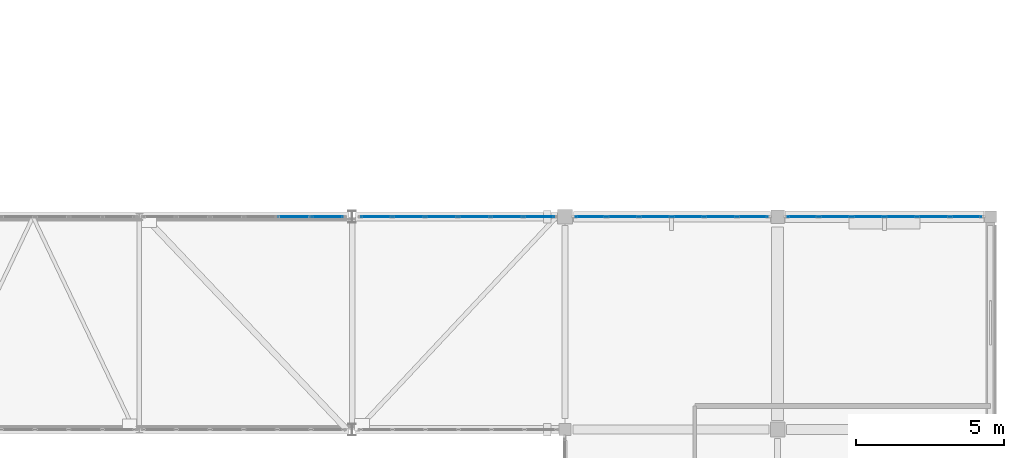
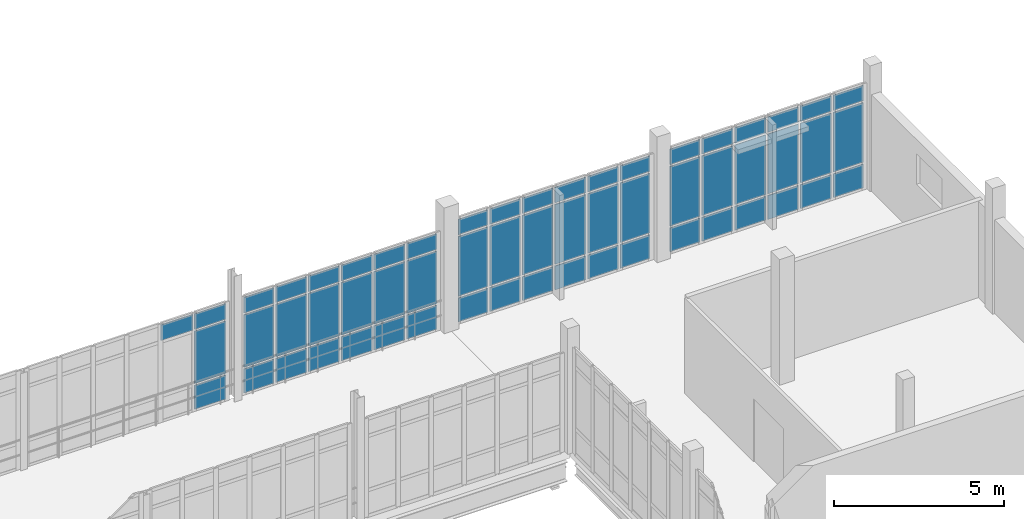
# One storey, part 92 of 116: 58 plates, 4 elements without a shape of their own.
"""IFC4 building model written with IfcOpenShell, lengths in metres."""

from ifc_helpers import new_model, si_unit, direction, frame, origin, origin_2d, place, context, subcontext, project, spatial, rectangle, extrude, material, layer, layer_set, type_object, element, aggregate, save


model = new_model("IFC4")

# Units and contexts
model_context = context("Model", 3, precision=1e-05, world=origin(), true_north=direction((0.0, 1.0)))
body_context = subcontext(model_context, "Body", "Model", "MODEL_VIEW")
ifc_project = project(units=[si_unit("LENGTHUNIT", "METRE"), si_unit("AREAUNIT", "SQUARE_METRE"), si_unit("VOLUMEUNIT", "CUBIC_METRE"), si_unit("PLANEANGLEUNIT", "RADIAN"), si_unit("MASSUNIT", "GRAM", prefix="KILO")], contexts=[model_context])

# Site, building, storey
site_placement = place(None, origin())
site = spatial("IfcSite", under=ifc_project, at=site_placement, CompositionType="ELEMENT")
building_placement = place(site_placement, origin())
building = spatial("IfcBuilding", under=site, at=building_placement, Name="Kalluvel Institute of Natural Sciences", CompositionType="ELEMENT")
storey_placement = place(building_placement, frame((0.0, 0.0, 14.39990234375)))
storey = spatial("IfcBuildingStorey", under=building, at=storey_placement, Name="L03", CompositionType="ELEMENT", Elevation=14.39990234375)

# Curtain wall, plates
ifc_material_1 = material(Name="Aluminium AW-6063 T6", Category="aluminium")
curtain_wall_type_1 = type_object("IfcCurtainWallType", Name="CW-SPAV-45", PredefinedType="USERDEFINED", material=ifc_material_1)
curtain_wall_1_placement = place(storey_placement, origin())
curtain_wall_1 = element("IfcCurtainWall", 1, at=curtain_wall_1_placement, inside=storey, type_object=curtain_wall_type_1, Name="L03 Gothic lancet curtain wall CWA-L03-X1007-Y356", ObjectType="UNITISED LANCET FACADE", PredefinedType="USERDEFINED")
ifc_material_2 = material(Name="Solar-Control Low-E Laminated Glass", Category="glass")
ifc_layer_1 = layer(ifc_material_2, 0.028076171875)
ifc_layer_set_1 = layer_set([ifc_layer_1], Name="Solar-Control Low-E Laminated Glass")
plate_type_1 = type_object("IfcPlateType", Name="CWP-DGU-28", PredefinedType="CURTAIN_PANEL", material=ifc_layer_set_1)
plate_1_placement = place(storey_placement, frame((101.268310546875, 35.60009765625, 0.065185546875), z_axis=(0.0, 0.0, 1.0), x_axis=(1.0, 0.0, 0.0)))
plate_1 = element("IfcPlate", 2, at=plate_1_placement, type_object=plate_type_1, Name="CW-10 panel 1.1", PredefinedType="CURTAIN_PANEL", context=body_context, shape_type="SweptSolid", body=[
    extrude(rectangle(XDim=1.006591796875, YDim=0.028076171875, at=origin_2d()), origin(), (0.0, 0.0, 1.0), 0.8525390625),
])
plate_2_placement = place(storey_placement, frame((101.268310546875, 35.60009765625, 0.982421875), z_axis=(0.0, 0.0, 1.0), x_axis=(1.0, 0.0, 0.0)))
plate_2 = element("IfcPlate", 3, at=plate_2_placement, type_object=plate_type_1, Name="CW-10 panel 1.2", PredefinedType="CURTAIN_PANEL", context=body_context, shape_type="SweptSolid", body=[
    extrude(rectangle(XDim=1.006591796875, YDim=0.028076171875, at=origin_2d()), origin(), (0.0, 0.0, 1.0), 2.135009765625),
])
plate_3_placement = place(storey_placement, frame((101.268310546875, 35.60009765625, 3.1826171875), z_axis=(0.0, 0.0, 1.0), x_axis=(1.0, 0.0, 0.0)))
plate_3 = element("IfcPlate", 4, at=plate_3_placement, type_object=plate_type_1, Name="CW-10 panel 1.3", PredefinedType="CURTAIN_PANEL", context=body_context, shape_type="SweptSolid", body=[
    extrude(rectangle(XDim=1.006591796875, YDim=0.028076171875, at=origin_2d()), origin(), (0.0, 0.0, 1.0), 0.552490234375),
])
plate_4_placement = place(storey_placement, frame((102.356201171875, 35.60009765625, 0.065185546875), z_axis=(0.0, 0.0, 1.0), x_axis=(1.0, 0.0, 0.0)))
plate_4 = element("IfcPlate", 5, at=plate_4_placement, type_object=plate_type_1, Name="CW-10 panel 2.1", PredefinedType="CURTAIN_PANEL", context=body_context, shape_type="SweptSolid", body=[
    extrude(rectangle(XDim=1.0390625, YDim=0.028076171875, at=origin_2d()), origin(), (0.0, 0.0, 1.0), 0.8525390625),
])
plate_5_placement = place(storey_placement, frame((102.356201171875, 35.60009765625, 0.982421875), z_axis=(0.0, 0.0, 1.0), x_axis=(1.0, 0.0, 0.0)))
plate_5 = element("IfcPlate", 6, at=plate_5_placement, type_object=plate_type_1, Name="CW-10 panel 2.2", PredefinedType="CURTAIN_PANEL", context=body_context, shape_type="SweptSolid", body=[
    extrude(rectangle(XDim=1.0390625, YDim=0.028076171875, at=origin_2d()), origin(), (0.0, 0.0, 1.0), 2.135009765625),
])
plate_6_placement = place(storey_placement, frame((102.356201171875, 35.60009765625, 3.1826171875), z_axis=(0.0, 0.0, 1.0), x_axis=(1.0, 0.0, 0.0)))
plate_6 = element("IfcPlate", 7, at=plate_6_placement, type_object=plate_type_1, Name="CW-10 panel 2.3", PredefinedType="CURTAIN_PANEL", context=body_context, shape_type="SweptSolid", body=[
    extrude(rectangle(XDim=1.0390625, YDim=0.028076171875, at=origin_2d()), origin(), (0.0, 0.0, 1.0), 0.552490234375),
])
plate_7_placement = place(storey_placement, frame((103.46044921875, 35.60009765625, 0.065185546875), z_axis=(0.0, 0.0, 1.0), x_axis=(1.0, 0.0, 0.0)))
plate_7 = element("IfcPlate", 8, at=plate_7_placement, type_object=plate_type_1, Name="CW-10 panel 3.1", PredefinedType="CURTAIN_PANEL", context=body_context, shape_type="SweptSolid", body=[
    extrude(rectangle(XDim=1.0390625, YDim=0.028076171875, at=origin_2d()), origin(), (0.0, 0.0, 1.0), 0.8525390625),
])
plate_8_placement = place(storey_placement, frame((103.46044921875, 35.60009765625, 0.982421875), z_axis=(0.0, 0.0, 1.0), x_axis=(1.0, 0.0, 0.0)))
plate_8 = element("IfcPlate", 9, at=plate_8_placement, type_object=plate_type_1, Name="CW-10 panel 3.2", PredefinedType="CURTAIN_PANEL", context=body_context, shape_type="SweptSolid", body=[
    extrude(rectangle(XDim=1.0390625, YDim=0.028076171875, at=origin_2d()), origin(), (0.0, 0.0, 1.0), 2.135009765625),
])
plate_9_placement = place(storey_placement, frame((103.46044921875, 35.60009765625, 3.1826171875), z_axis=(0.0, 0.0, 1.0), x_axis=(1.0, 0.0, 0.0)))
plate_9 = element("IfcPlate", 10, at=plate_9_placement, type_object=plate_type_1, Name="CW-10 panel 3.3", PredefinedType="CURTAIN_PANEL", context=body_context, shape_type="SweptSolid", body=[
    extrude(rectangle(XDim=1.0390625, YDim=0.028076171875, at=origin_2d()), origin(), (0.0, 0.0, 1.0), 0.552490234375),
])
plate_10_placement = place(storey_placement, frame((104.564697265625, 35.60009765625, 0.065185546875), z_axis=(0.0, 0.0, 1.0), x_axis=(1.0, 0.0, 0.0)))
plate_10 = element("IfcPlate", 11, at=plate_10_placement, type_object=plate_type_1, Name="CW-10 panel 4.1", PredefinedType="CURTAIN_PANEL", context=body_context, shape_type="SweptSolid", body=[
    extrude(rectangle(XDim=1.0390625, YDim=0.028076171875, at=origin_2d()), origin(), (0.0, 0.0, 1.0), 0.8525390625),
])
plate_11_placement = place(storey_placement, frame((104.564697265625, 35.60009765625, 0.982421875), z_axis=(0.0, 0.0, 1.0), x_axis=(1.0, 0.0, 0.0)))
plate_11 = element("IfcPlate", 12, at=plate_11_placement, type_object=plate_type_1, Name="CW-10 panel 4.2", PredefinedType="CURTAIN_PANEL", context=body_context, shape_type="SweptSolid", body=[
    extrude(rectangle(XDim=1.0390625, YDim=0.028076171875, at=origin_2d()), origin(), (0.0, 0.0, 1.0), 2.135009765625),
])
plate_12_placement = place(storey_placement, frame((104.564697265625, 35.60009765625, 3.1826171875), z_axis=(0.0, 0.0, 1.0), x_axis=(1.0, 0.0, 0.0)))
plate_12 = element("IfcPlate", 13, at=plate_12_placement, type_object=plate_type_1, Name="CW-10 panel 4.3", PredefinedType="CURTAIN_PANEL", context=body_context, shape_type="SweptSolid", body=[
    extrude(rectangle(XDim=1.0390625, YDim=0.028076171875, at=origin_2d()), origin(), (0.0, 0.0, 1.0), 0.552490234375),
])
plate_13_placement = place(storey_placement, frame((105.668701171875, 35.60009765625, 0.065185546875), z_axis=(0.0, 0.0, 1.0), x_axis=(1.0, 0.0, 0.0)))
plate_13 = element("IfcPlate", 14, at=plate_13_placement, type_object=plate_type_1, Name="CW-10 panel 5.1", PredefinedType="CURTAIN_PANEL", context=body_context, shape_type="SweptSolid", body=[
    extrude(rectangle(XDim=1.0390625, YDim=0.028076171875, at=origin_2d()), origin(), (0.0, 0.0, 1.0), 0.8525390625),
])
plate_14_placement = place(storey_placement, frame((105.668701171875, 35.60009765625, 0.982421875), z_axis=(0.0, 0.0, 1.0), x_axis=(1.0, 0.0, 0.0)))
plate_14 = element("IfcPlate", 15, at=plate_14_placement, type_object=plate_type_1, Name="CW-10 panel 5.2", PredefinedType="CURTAIN_PANEL", context=body_context, shape_type="SweptSolid", body=[
    extrude(rectangle(XDim=1.0390625, YDim=0.028076171875, at=origin_2d()), origin(), (0.0, 0.0, 1.0), 2.135009765625),
])
plate_15_placement = place(storey_placement, frame((105.668701171875, 35.60009765625, 3.1826171875), z_axis=(0.0, 0.0, 1.0), x_axis=(1.0, 0.0, 0.0)))
plate_15 = element("IfcPlate", 16, at=plate_15_placement, type_object=plate_type_1, Name="CW-10 panel 5.3", PredefinedType="CURTAIN_PANEL", context=body_context, shape_type="SweptSolid", body=[
    extrude(rectangle(XDim=1.0390625, YDim=0.028076171875, at=origin_2d()), origin(), (0.0, 0.0, 1.0), 0.552490234375),
])
plate_16_placement = place(storey_placement, frame((106.756591796875, 35.60009765625, 0.065185546875), z_axis=(0.0, 0.0, 1.0), x_axis=(1.0, 0.0, 0.0)))
plate_16 = element("IfcPlate", 17, at=plate_16_placement, type_object=plate_type_1, Name="CW-10 panel 6.1", PredefinedType="CURTAIN_PANEL", context=body_context, shape_type="SweptSolid", body=[
    extrude(rectangle(XDim=1.006591796875, YDim=0.028076171875, at=origin_2d()), origin(), (0.0, 0.0, 1.0), 0.8525390625),
])
plate_17_placement = place(storey_placement, frame((106.756591796875, 35.60009765625, 0.982421875), z_axis=(0.0, 0.0, 1.0), x_axis=(1.0, 0.0, 0.0)))
plate_17 = element("IfcPlate", 18, at=plate_17_placement, type_object=plate_type_1, Name="CW-10 panel 6.2", PredefinedType="CURTAIN_PANEL", context=body_context, shape_type="SweptSolid", body=[
    extrude(rectangle(XDim=1.006591796875, YDim=0.028076171875, at=origin_2d()), origin(), (0.0, 0.0, 1.0), 2.135009765625),
])
plate_18_placement = place(storey_placement, frame((106.756591796875, 35.60009765625, 3.1826171875), z_axis=(0.0, 0.0, 1.0), x_axis=(1.0, 0.0, 0.0)))
plate_18 = element("IfcPlate", 19, at=plate_18_placement, type_object=plate_type_1, Name="CW-10 panel 6.3", PredefinedType="CURTAIN_PANEL", context=body_context, shape_type="SweptSolid", body=[
    extrude(rectangle(XDim=1.006591796875, YDim=0.028076171875, at=origin_2d()), origin(), (0.0, 0.0, 1.0), 0.552490234375),
])
aggregate(curtain_wall_1, [plate_1, plate_2, plate_3, plate_4, plate_5, plate_6, plate_7, plate_8, plate_9, plate_10, plate_11, plate_12, plate_13, plate_14, plate_15, plate_16, plate_17, plate_18])

curtain_wall_2_placement = place(storey_placement, origin())
curtain_wall_2 = element("IfcCurtainWall", 20, at=curtain_wall_2_placement, inside=storey, type_object=curtain_wall_type_1, Name="L03 Gothic lancet curtain wall CWA-L03-X1079-Y356", ObjectType="UNITISED LANCET FACADE", PredefinedType="USERDEFINED")
plate_19_placement = place(storey_placement, frame((108.447509765625, 35.60009765625, 0.065185546875), z_axis=(0.0, 0.0, 1.0), x_axis=(1.0, 0.0, 0.0)))
plate_19 = element("IfcPlate", 21, at=plate_19_placement, type_object=plate_type_1, Name="CW-10 panel 1.1", PredefinedType="CURTAIN_PANEL", context=body_context, shape_type="SweptSolid", body=[
    extrude(rectangle(XDim=1.014892578125, YDim=0.028076171875, at=origin_2d()), origin(), (0.0, 0.0, 1.0), 0.8525390625),
])
plate_20_placement = place(storey_placement, frame((108.447509765625, 35.60009765625, 0.982421875), z_axis=(0.0, 0.0, 1.0), x_axis=(1.0, 0.0, 0.0)))
plate_20 = element("IfcPlate", 22, at=plate_20_placement, type_object=plate_type_1, Name="CW-10 panel 1.2", PredefinedType="CURTAIN_PANEL", context=body_context, shape_type="SweptSolid", body=[
    extrude(rectangle(XDim=1.014892578125, YDim=0.028076171875, at=origin_2d()), origin(), (0.0, 0.0, 1.0), 2.135009765625),
])
plate_21_placement = place(storey_placement, frame((108.447509765625, 35.60009765625, 3.1826171875), z_axis=(0.0, 0.0, 1.0), x_axis=(1.0, 0.0, 0.0)))
plate_21 = element("IfcPlate", 23, at=plate_21_placement, type_object=plate_type_1, Name="CW-10 panel 1.3", PredefinedType="CURTAIN_PANEL", context=body_context, shape_type="SweptSolid", body=[
    extrude(rectangle(XDim=1.014892578125, YDim=0.028076171875, at=origin_2d()), origin(), (0.0, 0.0, 1.0), 0.552490234375),
])
plate_22_placement = place(storey_placement, frame((109.543701171875, 35.60009765625, 0.065185546875), z_axis=(0.0, 0.0, 1.0), x_axis=(1.0, 0.0, 0.0)))
plate_22 = element("IfcPlate", 24, at=plate_22_placement, type_object=plate_type_1, Name="CW-10 panel 2.1", PredefinedType="CURTAIN_PANEL", context=body_context, shape_type="SweptSolid", body=[
    extrude(rectangle(XDim=1.047607421875, YDim=0.028076171875, at=origin_2d()), origin(), (0.0, 0.0, 1.0), 0.8525390625),
])
plate_23_placement = place(storey_placement, frame((109.543701171875, 35.60009765625, 0.982421875), z_axis=(0.0, 0.0, 1.0), x_axis=(1.0, 0.0, 0.0)))
plate_23 = element("IfcPlate", 25, at=plate_23_placement, type_object=plate_type_1, Name="CW-10 panel 2.2", PredefinedType="CURTAIN_PANEL", context=body_context, shape_type="SweptSolid", body=[
    extrude(rectangle(XDim=1.047607421875, YDim=0.028076171875, at=origin_2d()), origin(), (0.0, 0.0, 1.0), 2.135009765625),
])
plate_24_placement = place(storey_placement, frame((109.543701171875, 35.60009765625, 3.1826171875), z_axis=(0.0, 0.0, 1.0), x_axis=(1.0, 0.0, 0.0)))
plate_24 = element("IfcPlate", 26, at=plate_24_placement, type_object=plate_type_1, Name="CW-10 panel 2.3", PredefinedType="CURTAIN_PANEL", context=body_context, shape_type="SweptSolid", body=[
    extrude(rectangle(XDim=1.047607421875, YDim=0.028076171875, at=origin_2d()), origin(), (0.0, 0.0, 1.0), 0.552490234375),
])
plate_25_placement = place(storey_placement, frame((110.65625, 35.60009765625, 0.065185546875), z_axis=(0.0, 0.0, 1.0), x_axis=(1.0, 0.0, 0.0)))
plate_25 = element("IfcPlate", 27, at=plate_25_placement, type_object=plate_type_1, Name="CW-10 panel 3.1", PredefinedType="CURTAIN_PANEL", context=body_context, shape_type="SweptSolid", body=[
    extrude(rectangle(XDim=1.047607421875, YDim=0.028076171875, at=origin_2d()), origin(), (0.0, 0.0, 1.0), 0.8525390625),
])
plate_26_placement = place(storey_placement, frame((110.65625, 35.60009765625, 0.982421875), z_axis=(0.0, 0.0, 1.0), x_axis=(1.0, 0.0, 0.0)))
plate_26 = element("IfcPlate", 28, at=plate_26_placement, type_object=plate_type_1, Name="CW-10 panel 3.2", PredefinedType="CURTAIN_PANEL", context=body_context, shape_type="SweptSolid", body=[
    extrude(rectangle(XDim=1.047607421875, YDim=0.028076171875, at=origin_2d()), origin(), (0.0, 0.0, 1.0), 2.135009765625),
])
plate_27_placement = place(storey_placement, frame((110.65625, 35.60009765625, 3.1826171875), z_axis=(0.0, 0.0, 1.0), x_axis=(1.0, 0.0, 0.0)))
plate_27 = element("IfcPlate", 29, at=plate_27_placement, type_object=plate_type_1, Name="CW-10 panel 3.3", PredefinedType="CURTAIN_PANEL", context=body_context, shape_type="SweptSolid", body=[
    extrude(rectangle(XDim=1.047607421875, YDim=0.028076171875, at=origin_2d()), origin(), (0.0, 0.0, 1.0), 0.552490234375),
])
plate_28_placement = place(storey_placement, frame((111.768798828125, 35.60009765625, 0.065185546875), z_axis=(0.0, 0.0, 1.0), x_axis=(1.0, 0.0, 0.0)))
plate_28 = element("IfcPlate", 30, at=plate_28_placement, type_object=plate_type_1, Name="CW-10 panel 4.1", PredefinedType="CURTAIN_PANEL", context=body_context, shape_type="SweptSolid", body=[
    extrude(rectangle(XDim=1.047607421875, YDim=0.028076171875, at=origin_2d()), origin(), (0.0, 0.0, 1.0), 0.8525390625),
])
plate_29_placement = place(storey_placement, frame((111.768798828125, 35.60009765625, 0.982421875), z_axis=(0.0, 0.0, 1.0), x_axis=(1.0, 0.0, 0.0)))
plate_29 = element("IfcPlate", 31, at=plate_29_placement, type_object=plate_type_1, Name="CW-10 panel 4.2", PredefinedType="CURTAIN_PANEL", context=body_context, shape_type="SweptSolid", body=[
    extrude(rectangle(XDim=1.047607421875, YDim=0.028076171875, at=origin_2d()), origin(), (0.0, 0.0, 1.0), 2.135009765625),
])
plate_30_placement = place(storey_placement, frame((111.768798828125, 35.60009765625, 3.1826171875), z_axis=(0.0, 0.0, 1.0), x_axis=(1.0, 0.0, 0.0)))
plate_30 = element("IfcPlate", 32, at=plate_30_placement, type_object=plate_type_1, Name="CW-10 panel 4.3", PredefinedType="CURTAIN_PANEL", context=body_context, shape_type="SweptSolid", body=[
    extrude(rectangle(XDim=1.047607421875, YDim=0.028076171875, at=origin_2d()), origin(), (0.0, 0.0, 1.0), 0.552490234375),
])
plate_31_placement = place(storey_placement, frame((112.88134765625, 35.60009765625, 0.065185546875), z_axis=(0.0, 0.0, 1.0), x_axis=(1.0, 0.0, 0.0)))
plate_31 = element("IfcPlate", 33, at=plate_31_placement, type_object=plate_type_1, Name="CW-10 panel 5.1", PredefinedType="CURTAIN_PANEL", context=body_context, shape_type="SweptSolid", body=[
    extrude(rectangle(XDim=1.047607421875, YDim=0.028076171875, at=origin_2d()), origin(), (0.0, 0.0, 1.0), 0.8525390625),
])
plate_32_placement = place(storey_placement, frame((112.88134765625, 35.60009765625, 0.982421875), z_axis=(0.0, 0.0, 1.0), x_axis=(1.0, 0.0, 0.0)))
plate_32 = element("IfcPlate", 34, at=plate_32_placement, type_object=plate_type_1, Name="CW-10 panel 5.2", PredefinedType="CURTAIN_PANEL", context=body_context, shape_type="SweptSolid", body=[
    extrude(rectangle(XDim=1.047607421875, YDim=0.028076171875, at=origin_2d()), origin(), (0.0, 0.0, 1.0), 2.135009765625),
])
plate_33_placement = place(storey_placement, frame((112.88134765625, 35.60009765625, 3.1826171875), z_axis=(0.0, 0.0, 1.0), x_axis=(1.0, 0.0, 0.0)))
plate_33 = element("IfcPlate", 35, at=plate_33_placement, type_object=plate_type_1, Name="CW-10 panel 5.3", PredefinedType="CURTAIN_PANEL", context=body_context, shape_type="SweptSolid", body=[
    extrude(rectangle(XDim=1.047607421875, YDim=0.028076171875, at=origin_2d()), origin(), (0.0, 0.0, 1.0), 0.552490234375),
])
plate_34_placement = place(storey_placement, frame((113.9775390625, 35.60009765625, 0.065185546875), z_axis=(0.0, 0.0, 1.0), x_axis=(1.0, 0.0, 0.0)))
plate_34 = element("IfcPlate", 36, at=plate_34_placement, type_object=plate_type_1, Name="CW-10 panel 6.1", PredefinedType="CURTAIN_PANEL", context=body_context, shape_type="SweptSolid", body=[
    extrude(rectangle(XDim=1.014892578125, YDim=0.028076171875, at=origin_2d()), origin(), (0.0, 0.0, 1.0), 0.8525390625),
])
plate_35_placement = place(storey_placement, frame((113.9775390625, 35.60009765625, 0.982421875), z_axis=(0.0, 0.0, 1.0), x_axis=(1.0, 0.0, 0.0)))
plate_35 = element("IfcPlate", 37, at=plate_35_placement, type_object=plate_type_1, Name="CW-10 panel 6.2", PredefinedType="CURTAIN_PANEL", context=body_context, shape_type="SweptSolid", body=[
    extrude(rectangle(XDim=1.014892578125, YDim=0.028076171875, at=origin_2d()), origin(), (0.0, 0.0, 1.0), 2.135009765625),
])
plate_36_placement = place(storey_placement, frame((113.9775390625, 35.60009765625, 3.1826171875), z_axis=(0.0, 0.0, 1.0), x_axis=(1.0, 0.0, 0.0)))
plate_36 = element("IfcPlate", 38, at=plate_36_placement, type_object=plate_type_1, Name="CW-10 panel 6.3", PredefinedType="CURTAIN_PANEL", context=body_context, shape_type="SweptSolid", body=[
    extrude(rectangle(XDim=1.014892578125, YDim=0.028076171875, at=origin_2d()), origin(), (0.0, 0.0, 1.0), 0.552490234375),
])
aggregate(curtain_wall_2, [plate_19, plate_20, plate_21, plate_22, plate_23, plate_24, plate_25, plate_26, plate_27, plate_28, plate_29, plate_30, plate_31, plate_32, plate_33, plate_34, plate_35, plate_36])

curtain_wall_type_2 = type_object("IfcCurtainWallType", Name="CW-BRG-45", PredefinedType="USERDEFINED", material=ifc_material_1)
curtain_wall_3_placement = place(storey_placement, origin())
curtain_wall_3 = element("IfcCurtainWall", 39, at=curtain_wall_3_placement, inside=storey, type_object=curtain_wall_type_2, Name="L03 Gothic lancet curtain wall CWA-L03-X861-Y356", ObjectType="UNITISED LANCET FACADE", PredefinedType="USERDEFINED")
ifc_layer_2 = layer(ifc_material_2, 0.031982421875)
ifc_layer_set_2 = layer_set([ifc_layer_2], Name="Solar-Control Low-E Laminated Glass")
plate_type_2 = type_object("IfcPlateType", Name="CWP-DGU-32", PredefinedType="CURTAIN_PANEL", material=ifc_layer_set_2)
plate_37_placement = place(storey_placement, frame((91.239990234375, 35.60009765625, 2.920166015625), z_axis=(0.0, 0.0, 1.0), x_axis=(1.0, 0.0, 0.0)))
plate_37 = element("IfcPlate", 40, at=plate_37_placement, type_object=plate_type_2, Name="CW-07 panel 5.3", PredefinedType="CURTAIN_PANEL", context=body_context, shape_type="SweptSolid", body=[
    extrude(rectangle(XDim=1.080078125, YDim=0.031982421875, at=origin_2d()), origin(), (0.0, 0.0, 1.0), 0.56005859375),
])
plate_38_placement = place(storey_placement, frame((92.364990234375, 35.60009765625, 0.06005859375), z_axis=(0.0, 0.0, 1.0), x_axis=(1.0, 0.0, 0.0)))
plate_38 = element("IfcPlate", 41, at=plate_38_placement, type_object=plate_type_2, Name="CW-07 panel 6.1", PredefinedType="CURTAIN_PANEL", context=body_context, shape_type="SweptSolid", body=[
    extrude(rectangle(XDim=1.050048828125, YDim=0.031982421875, at=origin_2d()), origin(), (0.0, 0.0, 1.0), 0.860107421875),
])
plate_39_placement = place(storey_placement, frame((92.364990234375, 35.60009765625, 0.980224609375), z_axis=(0.0, 0.0, 1.0), x_axis=(1.0, 0.0, 0.0)))
plate_39 = element("IfcPlate", 42, at=plate_39_placement, type_object=plate_type_2, Name="CW-07 panel 6.2", PredefinedType="CURTAIN_PANEL", context=body_context, shape_type="SweptSolid", body=[
    extrude(rectangle(XDim=1.050048828125, YDim=0.031982421875, at=origin_2d()), origin(), (0.0, 0.0, 1.0), 1.8798828125),
])
plate_40_placement = place(storey_placement, frame((92.364990234375, 35.60009765625, 2.920166015625), z_axis=(0.0, 0.0, 1.0), x_axis=(1.0, 0.0, 0.0)))
plate_40 = element("IfcPlate", 43, at=plate_40_placement, type_object=plate_type_2, Name="CW-07 panel 6.3", PredefinedType="CURTAIN_PANEL", context=body_context, shape_type="SweptSolid", body=[
    extrude(rectangle(XDim=1.050048828125, YDim=0.031982421875, at=origin_2d()), origin(), (0.0, 0.0, 1.0), 0.56005859375),
])
aggregate(curtain_wall_3, [plate_37, plate_38, plate_39, plate_40])

curtain_wall_4_placement = place(storey_placement, origin())
curtain_wall_4 = element("IfcCurtainWall", 44, at=curtain_wall_4_placement, inside=storey, type_object=curtain_wall_type_2, Name="L03 Gothic lancet curtain wall CWA-L03-X934-Y356", ObjectType="UNITISED LANCET FACADE", PredefinedType="USERDEFINED")
plate_41_placement = place(storey_placement, frame((94.019287109375, 35.60009765625, 0.06005859375), z_axis=(0.0, 0.0, 1.0), x_axis=(1.0, 0.0, 0.0)))
plate_41 = element("IfcPlate", 45, at=plate_41_placement, type_object=plate_type_2, Name="CW-07 panel 1.1", PredefinedType="CURTAIN_PANEL", context=body_context, shape_type="SweptSolid", body=[
    extrude(rectangle(XDim=1.018310546875, YDim=0.031982421875, at=origin_2d()), origin(), (0.0, 0.0, 1.0), 0.860107421875),
])
plate_42_placement = place(storey_placement, frame((94.019287109375, 35.60009765625, 0.980224609375), z_axis=(0.0, 0.0, 1.0), x_axis=(1.0, 0.0, 0.0)))
plate_42 = element("IfcPlate", 46, at=plate_42_placement, type_object=plate_type_2, Name="CW-07 panel 1.2", PredefinedType="CURTAIN_PANEL", context=body_context, shape_type="SweptSolid", body=[
    extrude(rectangle(XDim=1.018310546875, YDim=0.031982421875, at=origin_2d()), origin(), (0.0, 0.0, 1.0), 1.8798828125),
])
plate_43_placement = place(storey_placement, frame((94.019287109375, 35.60009765625, 2.920166015625), z_axis=(0.0, 0.0, 1.0), x_axis=(1.0, 0.0, 0.0)))
plate_43 = element("IfcPlate", 47, at=plate_43_placement, type_object=plate_type_2, Name="CW-07 panel 1.3", PredefinedType="CURTAIN_PANEL", context=body_context, shape_type="SweptSolid", body=[
    extrude(rectangle(XDim=1.018310546875, YDim=0.031982421875, at=origin_2d()), origin(), (0.0, 0.0, 1.0), 0.56005859375),
])
plate_44_placement = place(storey_placement, frame((95.112548828125, 35.60009765625, 0.06005859375), z_axis=(0.0, 0.0, 1.0), x_axis=(1.0, 0.0, 0.0)))
plate_44 = element("IfcPlate", 48, at=plate_44_placement, type_object=plate_type_2, Name="CW-07 panel 2.1", PredefinedType="CURTAIN_PANEL", context=body_context, shape_type="SweptSolid", body=[
    extrude(rectangle(XDim=1.04833984375, YDim=0.031982421875, at=origin_2d()), origin(), (0.0, 0.0, 1.0), 0.860107421875),
])
plate_45_placement = place(storey_placement, frame((95.112548828125, 35.60009765625, 0.980224609375), z_axis=(0.0, 0.0, 1.0), x_axis=(1.0, 0.0, 0.0)))
plate_45 = element("IfcPlate", 49, at=plate_45_placement, type_object=plate_type_2, Name="CW-07 panel 2.2", PredefinedType="CURTAIN_PANEL", context=body_context, shape_type="SweptSolid", body=[
    extrude(rectangle(XDim=1.04833984375, YDim=0.031982421875, at=origin_2d()), origin(), (0.0, 0.0, 1.0), 1.8798828125),
])
plate_46_placement = place(storey_placement, frame((95.112548828125, 35.60009765625, 2.920166015625), z_axis=(0.0, 0.0, 1.0), x_axis=(1.0, 0.0, 0.0)))
plate_46 = element("IfcPlate", 50, at=plate_46_placement, type_object=plate_type_2, Name="CW-07 panel 2.3", PredefinedType="CURTAIN_PANEL", context=body_context, shape_type="SweptSolid", body=[
    extrude(rectangle(XDim=1.04833984375, YDim=0.031982421875, at=origin_2d()), origin(), (0.0, 0.0, 1.0), 0.56005859375),
])
plate_47_placement = place(storey_placement, frame((96.220947265625, 35.60009765625, 0.06005859375), z_axis=(0.0, 0.0, 1.0), x_axis=(1.0, 0.0, 0.0)))
plate_47 = element("IfcPlate", 51, at=plate_47_placement, type_object=plate_type_2, Name="CW-07 panel 3.1", PredefinedType="CURTAIN_PANEL", context=body_context, shape_type="SweptSolid", body=[
    extrude(rectangle(XDim=1.04833984375, YDim=0.031982421875, at=origin_2d()), origin(), (0.0, 0.0, 1.0), 0.860107421875),
])
plate_48_placement = place(storey_placement, frame((96.220947265625, 35.60009765625, 0.980224609375), z_axis=(0.0, 0.0, 1.0), x_axis=(1.0, 0.0, 0.0)))
plate_48 = element("IfcPlate", 52, at=plate_48_placement, type_object=plate_type_2, Name="CW-07 panel 3.2", PredefinedType="CURTAIN_PANEL", context=body_context, shape_type="SweptSolid", body=[
    extrude(rectangle(XDim=1.04833984375, YDim=0.031982421875, at=origin_2d()), origin(), (0.0, 0.0, 1.0), 1.8798828125),
])
plate_49_placement = place(storey_placement, frame((96.220947265625, 35.60009765625, 2.920166015625), z_axis=(0.0, 0.0, 1.0), x_axis=(1.0, 0.0, 0.0)))
plate_49 = element("IfcPlate", 53, at=plate_49_placement, type_object=plate_type_2, Name="CW-07 panel 3.3", PredefinedType="CURTAIN_PANEL", context=body_context, shape_type="SweptSolid", body=[
    extrude(rectangle(XDim=1.04833984375, YDim=0.031982421875, at=origin_2d()), origin(), (0.0, 0.0, 1.0), 0.56005859375),
])
plate_50_placement = place(storey_placement, frame((97.3291015625, 35.60009765625, 0.06005859375), z_axis=(0.0, 0.0, 1.0), x_axis=(1.0, 0.0, 0.0)))
plate_50 = element("IfcPlate", 54, at=plate_50_placement, type_object=plate_type_2, Name="CW-07 panel 4.1", PredefinedType="CURTAIN_PANEL", context=body_context, shape_type="SweptSolid", body=[
    extrude(rectangle(XDim=1.04833984375, YDim=0.031982421875, at=origin_2d()), origin(), (0.0, 0.0, 1.0), 0.860107421875),
])
plate_51_placement = place(storey_placement, frame((97.3291015625, 35.60009765625, 0.980224609375), z_axis=(0.0, 0.0, 1.0), x_axis=(1.0, 0.0, 0.0)))
plate_51 = element("IfcPlate", 55, at=plate_51_placement, type_object=plate_type_2, Name="CW-07 panel 4.2", PredefinedType="CURTAIN_PANEL", context=body_context, shape_type="SweptSolid", body=[
    extrude(rectangle(XDim=1.04833984375, YDim=0.031982421875, at=origin_2d()), origin(), (0.0, 0.0, 1.0), 1.8798828125),
])
plate_52_placement = place(storey_placement, frame((97.3291015625, 35.60009765625, 2.920166015625), z_axis=(0.0, 0.0, 1.0), x_axis=(1.0, 0.0, 0.0)))
plate_52 = element("IfcPlate", 56, at=plate_52_placement, type_object=plate_type_2, Name="CW-07 panel 4.3", PredefinedType="CURTAIN_PANEL", context=body_context, shape_type="SweptSolid", body=[
    extrude(rectangle(XDim=1.04833984375, YDim=0.031982421875, at=origin_2d()), origin(), (0.0, 0.0, 1.0), 0.56005859375),
])
plate_53_placement = place(storey_placement, frame((98.4375, 35.60009765625, 0.06005859375), z_axis=(0.0, 0.0, 1.0), x_axis=(1.0, 0.0, 0.0)))
plate_53 = element("IfcPlate", 57, at=plate_53_placement, type_object=plate_type_2, Name="CW-07 panel 5.1", PredefinedType="CURTAIN_PANEL", context=body_context, shape_type="SweptSolid", body=[
    extrude(rectangle(XDim=1.04833984375, YDim=0.031982421875, at=origin_2d()), origin(), (0.0, 0.0, 1.0), 0.860107421875),
])
plate_54_placement = place(storey_placement, frame((98.4375, 35.60009765625, 0.980224609375), z_axis=(0.0, 0.0, 1.0), x_axis=(1.0, 0.0, 0.0)))
plate_54 = element("IfcPlate", 58, at=plate_54_placement, type_object=plate_type_2, Name="CW-07 panel 5.2", PredefinedType="CURTAIN_PANEL", context=body_context, shape_type="SweptSolid", body=[
    extrude(rectangle(XDim=1.04833984375, YDim=0.031982421875, at=origin_2d()), origin(), (0.0, 0.0, 1.0), 1.8798828125),
])
plate_55_placement = place(storey_placement, frame((98.4375, 35.60009765625, 2.920166015625), z_axis=(0.0, 0.0, 1.0), x_axis=(1.0, 0.0, 0.0)))
plate_55 = element("IfcPlate", 59, at=plate_55_placement, type_object=plate_type_2, Name="CW-07 panel 5.3", PredefinedType="CURTAIN_PANEL", context=body_context, shape_type="SweptSolid", body=[
    extrude(rectangle(XDim=1.04833984375, YDim=0.031982421875, at=origin_2d()), origin(), (0.0, 0.0, 1.0), 0.56005859375),
])
plate_56_placement = place(storey_placement, frame((99.53076171875, 35.60009765625, 0.06005859375), z_axis=(0.0, 0.0, 1.0), x_axis=(1.0, 0.0, 0.0)))
plate_56 = element("IfcPlate", 60, at=plate_56_placement, type_object=plate_type_2, Name="CW-07 panel 6.1", PredefinedType="CURTAIN_PANEL", context=body_context, shape_type="SweptSolid", body=[
    extrude(rectangle(XDim=1.018310546875, YDim=0.031982421875, at=origin_2d()), origin(), (0.0, 0.0, 1.0), 0.860107421875),
])
plate_57_placement = place(storey_placement, frame((99.53076171875, 35.60009765625, 0.980224609375), z_axis=(0.0, 0.0, 1.0), x_axis=(1.0, 0.0, 0.0)))
plate_57 = element("IfcPlate", 61, at=plate_57_placement, type_object=plate_type_2, Name="CW-07 panel 6.2", PredefinedType="CURTAIN_PANEL", context=body_context, shape_type="SweptSolid", body=[
    extrude(rectangle(XDim=1.018310546875, YDim=0.031982421875, at=origin_2d()), origin(), (0.0, 0.0, 1.0), 1.8798828125),
])
plate_58_placement = place(storey_placement, frame((99.53076171875, 35.60009765625, 2.920166015625), z_axis=(0.0, 0.0, 1.0), x_axis=(1.0, 0.0, 0.0)))
plate_58 = element("IfcPlate", 62, at=plate_58_placement, type_object=plate_type_2, Name="CW-07 panel 6.3", PredefinedType="CURTAIN_PANEL", context=body_context, shape_type="SweptSolid", body=[
    extrude(rectangle(XDim=1.018310546875, YDim=0.031982421875, at=origin_2d()), origin(), (0.0, 0.0, 1.0), 0.56005859375),
])
aggregate(curtain_wall_4, [plate_41, plate_42, plate_43, plate_44, plate_45, plate_46, plate_47, plate_48, plate_49, plate_50, plate_51, plate_52, plate_53, plate_54, plate_55, plate_56, plate_57, plate_58])

save(model, "model.ifc")
